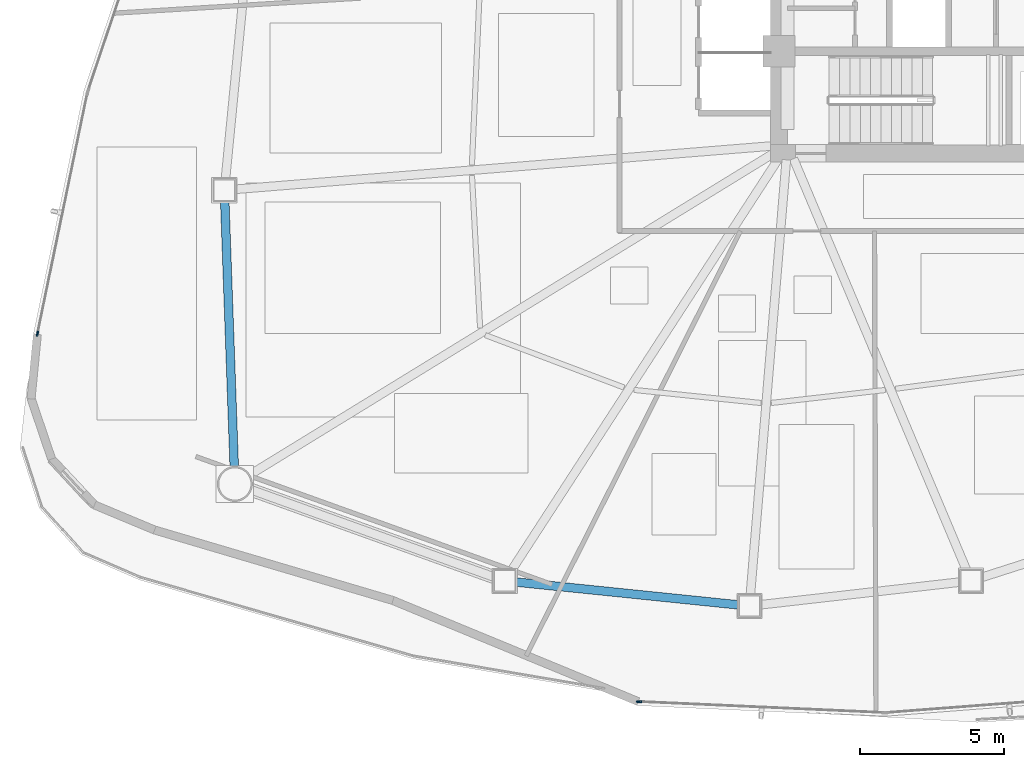
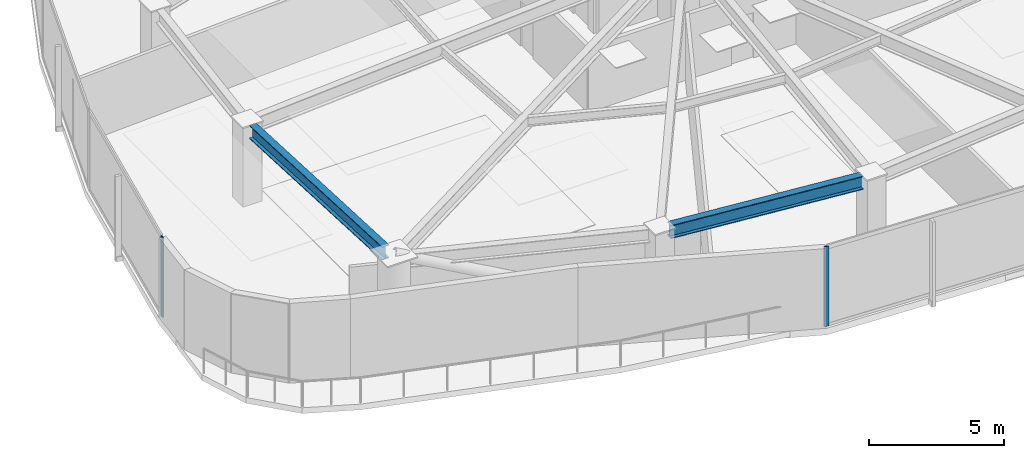
# One storey, part 2 of 19: 2 beams, 2 members, 2 elements without a shape of their own.
"""IFC4 building model written with IfcOpenShell, lengths in metres."""

from ifc_helpers import new_model, si_unit, direction, frame, origin, origin_2d, place, context, subcontext, project, spatial, hollow_rectangle, i_section, extrude, source, transform, mapped, material, layer, layer_set, material_profile, profile_set, type_object, type_shapes, element, aggregate, save


model = new_model("IFC4")

# Units and contexts
model_context = context("Model", 3, precision=1e-05, world=origin(), true_north=direction((0.0, 1.0)))
body_context = subcontext(model_context, "Body", "Model", "MODEL_VIEW")
ifc_project = project(units=[si_unit("LENGTHUNIT", "METRE"), si_unit("AREAUNIT", "SQUARE_METRE"), si_unit("VOLUMEUNIT", "CUBIC_METRE"), si_unit("PLANEANGLEUNIT", "RADIAN"), si_unit("MASSUNIT", "GRAM", prefix="KILO")], contexts=[model_context])

# Site, building, storey
site_placement = place(None, origin())
site = spatial("IfcSite", under=ifc_project, at=site_placement, CompositionType="ELEMENT")
building_placement = place(site_placement, origin())
building = spatial("IfcBuilding", under=site, at=building_placement, Name="Tavelor Broadcast Tower", CompositionType="ELEMENT")
storey_placement = place(building_placement, frame((0.0, 0.0, 27.60009765625)))
storey = spatial("IfcBuildingStorey", under=building, at=storey_placement, Name="L05", CompositionType="ELEMENT", Elevation=27.60009765625)

# Beams
ifc_material_1 = material(Name="Steel S355", Category="steel")
ifc_material_profile_1 = material_profile(ifc_material_1, i_section(OverallWidth=0.300048828125, OverallDepth=0.60009765625, WebThickness=0.015380859375, FlangeThickness=0.030029296875, at=origin_2d()), Name="HEB 600")
ifc_profile_set_1 = profile_set([ifc_material_profile_1], Name="Steel S355")
beam_type = type_object("IfcBeamType", Name="Perimeter Spandrel Beam T1 HEB 600", PredefinedType="SPANDREL", material=ifc_profile_set_1)
beam_1_placement = place(storey_placement, frame((23.808349609375, 36.83251953125, 3.2998046875), z_axis=(0.035604109309, -0.999365972705, 0.0), x_axis=(0.999365972705, 0.035604109309, 0.0)))
element("IfcBeam", 1, at=beam_1_placement, inside=storey, type_object=beam_type, Name="L05 Framed-Tube Ring Spandrel 06", PredefinedType="SPANDREL", context=body_context, shape_type="SweptSolid", body=[
    extrude(i_section(OverallWidth=0.300048828125, OverallDepth=0.60009765625, WebThickness=0.015380859375, FlangeThickness=0.030029296875, at=origin_2d()), origin(), (0.0, 0.0, 1.0), 9.263916015625),
])
beam_2_placement = place(storey_placement, frame((33.932861328125, 23.576416015625, 3.2998046875), z_axis=(0.994769619219, -0.102144038879, 0.0), x_axis=(0.102144038879, 0.994769619219, 0.0)))
element("IfcBeam", 2, at=beam_2_placement, inside=storey, type_object=beam_type, Name="L05 Framed-Tube Ring Spandrel 08", PredefinedType="SPANDREL", context=body_context, shape_type="SweptSolid", body=[
    extrude(i_section(OverallWidth=0.300048828125, OverallDepth=0.60009765625, WebThickness=0.015380859375, FlangeThickness=0.030029296875, at=origin_2d()), origin(), (0.0, 0.0, 1.0), 7.799072265625),
])

# Curtain wall, member
ifc_material_2 = material(Name="Architectural Anodized Aluminium", Category="aluminium")
ifc_layer = layer(ifc_material_2, 0.179931640625)
ifc_layer_set = layer_set([ifc_layer], Name="Architectural Anodized Aluminium")
curtain_wall_type = type_object("IfcCurtainWallType", Name="Tower Low-Zone Unitised Curtain Wall CW02", PredefinedType="NOTDEFINED", material=ifc_layer_set)
curtain_wall_1_placement = place(storey_placement, origin())
curtain_wall_1 = element("IfcCurtainWall", 3, at=curtain_wall_1_placement, inside=storey, type_object=curtain_wall_type, Name="L05 Curtain Wall CW02 Run 16", PredefinedType="NOTDEFINED")
ifc_material_profile_2 = material_profile(ifc_material_2, hollow_rectangle(XDim=0.06494140625, YDim=0.179931640625, WallThickness=0.02197265625, at=origin_2d()), Name="RHS 65x180x22")
ifc_profile_set_2 = profile_set([ifc_material_profile_2], Name="Architectural Anodized Aluminium")
member_type = type_object("IfcMemberType", Name="CW02 Extruded Aluminium Mullion 65x180", PredefinedType="MULLION", material=ifc_profile_set_2)
shared_shape = source(origin(), body_context, "Body", "SweptSolid", [
    extrude(hollow_rectangle(XDim=0.06494140625, YDim=0.179931640625, WallThickness=0.02197265625, at=origin_2d()), origin(), (0.0, 0.0, 1.0), 3.599853515625),
])
type_shapes(member_type, [shared_shape])
member_1_placement = place(storey_placement, frame((17.289306640625, 32.221923828125, 0.0), z_axis=(0.0, 0.0, 1.0), x_axis=(0.979139541834, -0.203188970216, 0.0)))
member_1 = element("IfcMember", 4, at=member_1_placement, type_object=member_type, Name="CW02 mullion 2", PredefinedType="MULLION", context=body_context, shape_type="MappedRepresentation", body=[
    mapped(shared_shape, transform((0.0, 0.0, 0.0), scale=1.0)),
])
aggregate(curtain_wall_1, [member_1])

curtain_wall_2_placement = place(storey_placement, origin())
curtain_wall_2 = element("IfcCurtainWall", 5, at=curtain_wall_2_placement, inside=storey, type_object=curtain_wall_type, Name="L05 Curtain Wall CW02 Run 17", PredefinedType="NOTDEFINED")
member_2_placement = place(storey_placement, frame((38.22998046875, 19.41162109375, 0.0), z_axis=(0.0, 0.0, 1.0), x_axis=(0.044932120711, 0.998990042257, 0.0)))
member_2 = element("IfcMember", 6, at=member_2_placement, type_object=member_type, Name="CW02 mullion 1", PredefinedType="MULLION", context=body_context, shape_type="MappedRepresentation", body=[
    mapped(shared_shape, transform((0.0, 0.0, 0.0), scale=1.0)),
])
aggregate(curtain_wall_2, [member_2])

save(model, "model.ifc")
